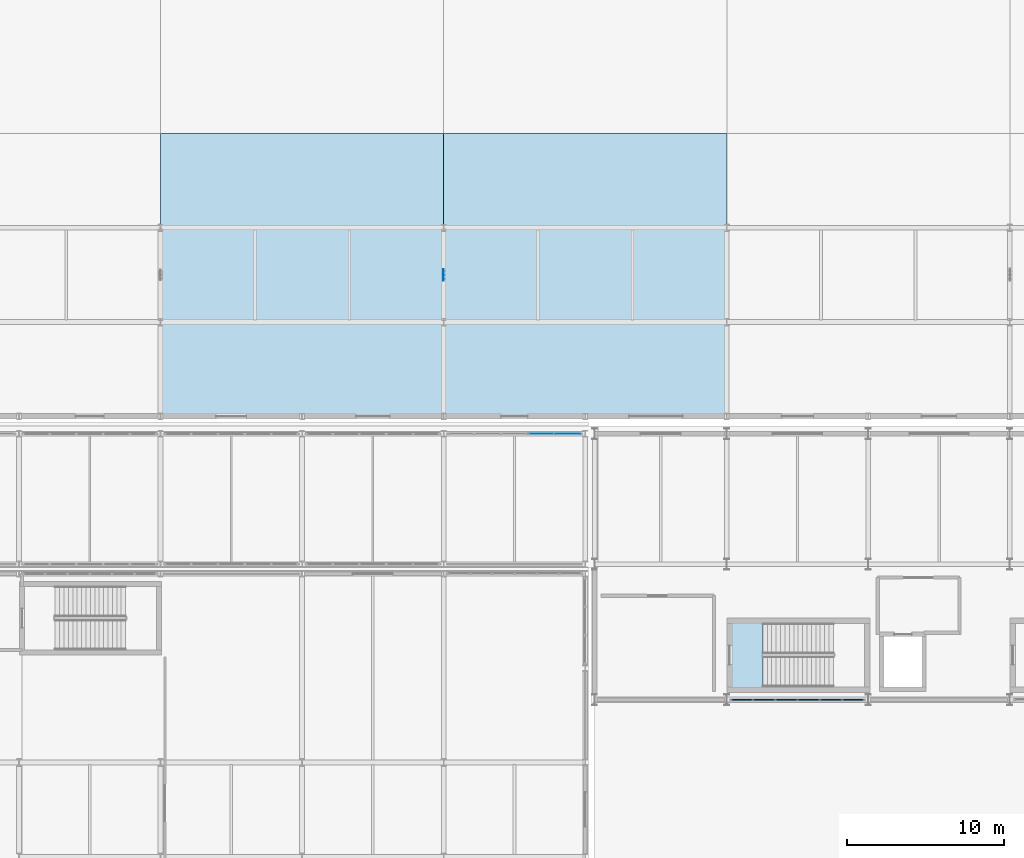
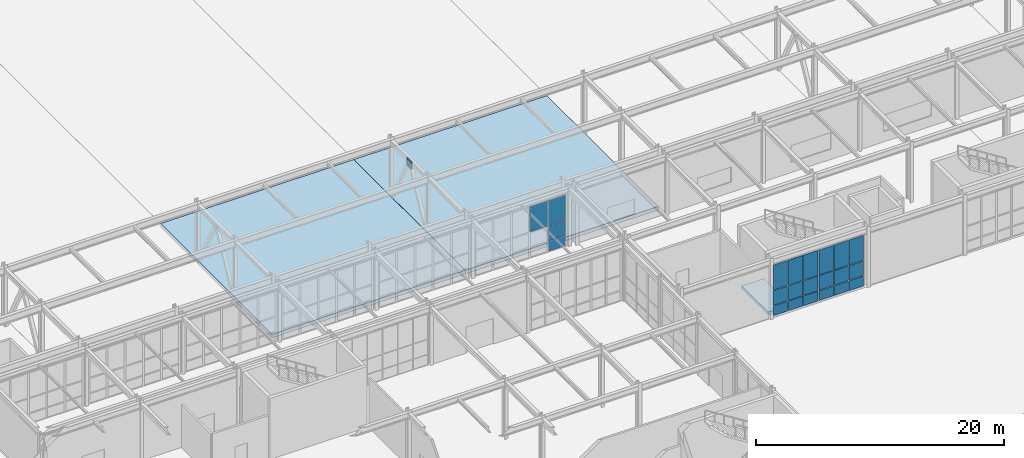
# One storey, part 107 of 146: 23 plates, 3 slabs, 2 elements without a shape of their own.
"""IFC4 building model written with IfcOpenShell, lengths in metres."""

from ifc_helpers import new_model, si_unit, direction, frame, origin, origin_2d, place, context, subcontext, project, spatial, polyline, rectangle, outline, extrude, material, layer, layer_set, type_object, element, aggregate, save


model = new_model("IFC4")

# Units and contexts
model_context = context("Model", 3, precision=1e-05, world=origin(), true_north=direction((0.0, 1.0)))
body_context = subcontext(model_context, "Body", "Model", "MODEL_VIEW")
ifc_project = project(units=[si_unit("LENGTHUNIT", "METRE"), si_unit("AREAUNIT", "SQUARE_METRE"), si_unit("VOLUMEUNIT", "CUBIC_METRE"), si_unit("PLANEANGLEUNIT", "RADIAN"), si_unit("MASSUNIT", "GRAM", prefix="KILO")], contexts=[model_context])

# Site, building, storey
site_placement = place(None, origin())
site = spatial("IfcSite", under=ifc_project, at=site_placement, CompositionType="ELEMENT")
building_placement = place(site_placement, origin())
building = spatial("IfcBuilding", under=site, at=building_placement, Name="Kaldris Quays Convention Centre", CompositionType="ELEMENT")
storey_placement = place(building_placement, origin())
storey = spatial("IfcBuildingStorey", under=building, at=storey_placement, Name="L00", CompositionType="ELEMENT", Elevation=0.0)

# Curtain wall, plates
ifc_material_1 = material(Name="Anodized aluminium AW-6060 and triple glazing", Category="aluminium")
curtain_wall_type_1 = type_object("IfcCurtainWallType", Name="UNITISED CURTAIN WALL CW02", PredefinedType="NOTDEFINED", material=ifc_material_1)
curtain_wall_1_placement = place(storey_placement, origin())
curtain_wall_1 = element("IfcCurtainWall", 1, at=curtain_wall_1_placement, inside=storey, type_object=curtain_wall_type_1, Name="L00 Unitised Curtain Wall CW02 89", PredefinedType="NOTDEFINED")
ifc_material_2 = material(Name="Triple low-E insulated glazing", Category="glass")
plate_type_1 = type_object("IfcPlateType", Name="CURTAIN GLAZING PANEL CWP1", PredefinedType="CURTAIN_PANEL", material=ifc_material_2)
plate_1_placement = place(storey_placement, frame((80.199951171875, 54.89990234375, 2.580078125), z_axis=(0.0, 0.0, 1.0), x_axis=(1.0, 0.0, 0.0)))
plate_1 = element("IfcPlate", 2, at=plate_1_placement, type_object=plate_type_1, Name="CW02 panel 4.3", PredefinedType="CURTAIN_PANEL", context=body_context, shape_type="SweptSolid", body=[
    extrude(rectangle(XDim=1.639892578125, YDim=0.029052734375, at=origin_2d()), origin(), (0.0, 0.0, 1.0), 2.4599609375),
])
plate_2_placement = place(storey_placement, frame((81.885009765625, 54.89990234375, 0.06005859375), z_axis=(0.0, 0.0, 1.0), x_axis=(1.0, 0.0, 0.0)))
plate_2 = element("IfcPlate", 3, at=plate_2_placement, type_object=plate_type_1, Name="CW02 panel 5.1", PredefinedType="CURTAIN_PANEL", context=body_context, shape_type="SweptSolid", body=[
    extrude(rectangle(XDim=1.610107421875, YDim=0.029052734375, at=origin_2d()), origin(), (0.0, 0.0, 1.0), 0.9599609375),
])
plate_3_placement = place(storey_placement, frame((81.885009765625, 54.89990234375, 1.080078125), z_axis=(0.0, 0.0, 1.0), x_axis=(1.0, 0.0, 0.0)))
plate_3 = element("IfcPlate", 4, at=plate_3_placement, type_object=plate_type_1, Name="CW02 panel 5.2", PredefinedType="CURTAIN_PANEL", context=body_context, shape_type="SweptSolid", body=[
    extrude(rectangle(XDim=1.610107421875, YDim=0.029052734375, at=origin_2d()), origin(), (0.0, 0.0, 1.0), 1.43994140625),
])
plate_4_placement = place(storey_placement, frame((81.885009765625, 54.89990234375, 2.580078125), z_axis=(0.0, 0.0, 1.0), x_axis=(1.0, 0.0, 0.0)))
plate_4 = element("IfcPlate", 5, at=plate_4_placement, type_object=plate_type_1, Name="CW02 panel 5.3", PredefinedType="CURTAIN_PANEL", context=body_context, shape_type="SweptSolid", body=[
    extrude(rectangle(XDim=1.610107421875, YDim=0.029052734375, at=origin_2d()), origin(), (0.0, 0.0, 1.0), 2.4599609375),
])
aggregate(curtain_wall_1, [plate_1, plate_2, plate_3, plate_4])

curtain_wall_type_2 = type_object("IfcCurtainWallType", Name="UNITISED CURTAIN WALL CW04", PredefinedType="NOTDEFINED", material=ifc_material_1)
curtain_wall_2_placement = place(storey_placement, origin())
curtain_wall_2 = element("IfcCurtainWall", 6, at=curtain_wall_2_placement, inside=storey, type_object=curtain_wall_type_2, Name="L00 Unitised Curtain Wall CW04 104", PredefinedType="NOTDEFINED")
plate_type_2 = type_object("IfcPlateType", Name="CURTAIN GLAZING PANEL CWP8", PredefinedType="CURTAIN_PANEL", material=ifc_material_2)
plate_5_placement = place(storey_placement, frame((92.973388671875, 38.0, 0.06005859375), z_axis=(0.0, 0.0, 1.0), x_axis=(1.0, 0.0, 0.0)))
plate_5 = element("IfcPlate", 7, at=plate_5_placement, type_object=plate_type_2, Name="CW04 panel 1.1", PredefinedType="CURTAIN_PANEL", context=body_context, shape_type="SweptSolid", body=[
    extrude(rectangle(XDim=1.32666015625, YDim=0.06396484375, at=origin_2d()), origin(), (0.0, 0.0, 1.0), 0.9599609375),
])
plate_6_placement = place(storey_placement, frame((92.973388671875, 38.0, 1.080078125), z_axis=(0.0, 0.0, 1.0), x_axis=(1.0, 0.0, 0.0)))
plate_6 = element("IfcPlate", 8, at=plate_6_placement, type_object=plate_type_2, Name="CW04 panel 1.2", PredefinedType="CURTAIN_PANEL", context=body_context, shape_type="SweptSolid", body=[
    extrude(rectangle(XDim=1.32666015625, YDim=0.06396484375, at=origin_2d()), origin(), (0.0, 0.0, 1.0), 1.43896484375),
])
plate_7_placement = place(storey_placement, frame((92.973388671875, 38.0, 2.5791015625), z_axis=(0.0, 0.0, 1.0), x_axis=(1.0, 0.0, 0.0)))
plate_7 = element("IfcPlate", 9, at=plate_7_placement, type_object=plate_type_2, Name="CW04 panel 1.3", PredefinedType="CURTAIN_PANEL", context=body_context, shape_type="SweptSolid", body=[
    extrude(rectangle(XDim=1.32666015625, YDim=0.06396484375, at=origin_2d()), origin(), (0.0, 0.0, 1.0), 2.458984375),
])
plate_8_placement = place(storey_placement, frame((94.375, 38.0, 0.06005859375), z_axis=(0.0, 0.0, 1.0), x_axis=(1.0, 0.0, 0.0)))
plate_8 = element("IfcPlate", 10, at=plate_8_placement, type_object=plate_type_2, Name="CW04 panel 2.1", PredefinedType="CURTAIN_PANEL", context=body_context, shape_type="SweptSolid", body=[
    extrude(rectangle(XDim=1.356689453125, YDim=0.06396484375, at=origin_2d()), origin(), (0.0, 0.0, 1.0), 0.9599609375),
])
plate_9_placement = place(storey_placement, frame((94.375, 38.0, 1.080078125), z_axis=(0.0, 0.0, 1.0), x_axis=(1.0, 0.0, 0.0)))
plate_9 = element("IfcPlate", 11, at=plate_9_placement, type_object=plate_type_2, Name="CW04 panel 2.2", PredefinedType="CURTAIN_PANEL", context=body_context, shape_type="SweptSolid", body=[
    extrude(rectangle(XDim=1.356689453125, YDim=0.06396484375, at=origin_2d()), origin(), (0.0, 0.0, 1.0), 1.43896484375),
])
plate_10_placement = place(storey_placement, frame((94.375, 38.0, 2.5791015625), z_axis=(0.0, 0.0, 1.0), x_axis=(1.0, 0.0, 0.0)))
plate_10 = element("IfcPlate", 12, at=plate_10_placement, type_object=plate_type_2, Name="CW04 panel 2.3", PredefinedType="CURTAIN_PANEL", context=body_context, shape_type="SweptSolid", body=[
    extrude(rectangle(XDim=1.356689453125, YDim=0.06396484375, at=origin_2d()), origin(), (0.0, 0.0, 1.0), 2.458984375),
])
plate_11_placement = place(storey_placement, frame((95.791748046875, 38.0, 0.06005859375), z_axis=(0.0, 0.0, 1.0), x_axis=(1.0, 0.0, 0.0)))
plate_11 = element("IfcPlate", 13, at=plate_11_placement, type_object=plate_type_2, Name="CW04 panel 3.1", PredefinedType="CURTAIN_PANEL", context=body_context, shape_type="SweptSolid", body=[
    extrude(rectangle(XDim=1.356689453125, YDim=0.06396484375, at=origin_2d()), origin(), (0.0, 0.0, 1.0), 0.9599609375),
])
plate_12_placement = place(storey_placement, frame((95.791748046875, 38.0, 1.080078125), z_axis=(0.0, 0.0, 1.0), x_axis=(1.0, 0.0, 0.0)))
plate_12 = element("IfcPlate", 14, at=plate_12_placement, type_object=plate_type_2, Name="CW04 panel 3.2", PredefinedType="CURTAIN_PANEL", context=body_context, shape_type="SweptSolid", body=[
    extrude(rectangle(XDim=1.356689453125, YDim=0.06396484375, at=origin_2d()), origin(), (0.0, 0.0, 1.0), 1.43896484375),
])
plate_13_placement = place(storey_placement, frame((95.791748046875, 38.0, 2.5791015625), z_axis=(0.0, 0.0, 1.0), x_axis=(1.0, 0.0, 0.0)))
plate_13 = element("IfcPlate", 15, at=plate_13_placement, type_object=plate_type_2, Name="CW04 panel 3.3", PredefinedType="CURTAIN_PANEL", context=body_context, shape_type="SweptSolid", body=[
    extrude(rectangle(XDim=1.356689453125, YDim=0.06396484375, at=origin_2d()), origin(), (0.0, 0.0, 1.0), 2.458984375),
])
plate_14_placement = place(storey_placement, frame((97.208251953125, 38.0, 0.06005859375), z_axis=(0.0, 0.0, 1.0), x_axis=(1.0, 0.0, 0.0)))
plate_14 = element("IfcPlate", 16, at=plate_14_placement, type_object=plate_type_2, Name="CW04 panel 4.1", PredefinedType="CURTAIN_PANEL", context=body_context, shape_type="SweptSolid", body=[
    extrude(rectangle(XDim=1.356689453125, YDim=0.06396484375, at=origin_2d()), origin(), (0.0, 0.0, 1.0), 0.9599609375),
])
plate_15_placement = place(storey_placement, frame((97.208251953125, 38.0, 1.080078125), z_axis=(0.0, 0.0, 1.0), x_axis=(1.0, 0.0, 0.0)))
plate_15 = element("IfcPlate", 17, at=plate_15_placement, type_object=plate_type_2, Name="CW04 panel 4.2", PredefinedType="CURTAIN_PANEL", context=body_context, shape_type="SweptSolid", body=[
    extrude(rectangle(XDim=1.356689453125, YDim=0.06396484375, at=origin_2d()), origin(), (0.0, 0.0, 1.0), 1.43896484375),
])
plate_16_placement = place(storey_placement, frame((97.208251953125, 38.0, 2.5791015625), z_axis=(0.0, 0.0, 1.0), x_axis=(1.0, 0.0, 0.0)))
plate_16 = element("IfcPlate", 18, at=plate_16_placement, type_object=plate_type_2, Name="CW04 panel 4.3", PredefinedType="CURTAIN_PANEL", context=body_context, shape_type="SweptSolid", body=[
    extrude(rectangle(XDim=1.356689453125, YDim=0.06396484375, at=origin_2d()), origin(), (0.0, 0.0, 1.0), 2.458984375),
])
plate_17_placement = place(storey_placement, frame((98.625, 38.0, 0.06005859375), z_axis=(0.0, 0.0, 1.0), x_axis=(1.0, 0.0, 0.0)))
plate_17 = element("IfcPlate", 19, at=plate_17_placement, type_object=plate_type_2, Name="CW04 panel 5.1", PredefinedType="CURTAIN_PANEL", context=body_context, shape_type="SweptSolid", body=[
    extrude(rectangle(XDim=1.356689453125, YDim=0.06396484375, at=origin_2d()), origin(), (0.0, 0.0, 1.0), 0.9599609375),
])
plate_18_placement = place(storey_placement, frame((98.625, 38.0, 1.080078125), z_axis=(0.0, 0.0, 1.0), x_axis=(1.0, 0.0, 0.0)))
plate_18 = element("IfcPlate", 20, at=plate_18_placement, type_object=plate_type_2, Name="CW04 panel 5.2", PredefinedType="CURTAIN_PANEL", context=body_context, shape_type="SweptSolid", body=[
    extrude(rectangle(XDim=1.356689453125, YDim=0.06396484375, at=origin_2d()), origin(), (0.0, 0.0, 1.0), 1.43896484375),
])
plate_19_placement = place(storey_placement, frame((98.625, 38.0, 2.5791015625), z_axis=(0.0, 0.0, 1.0), x_axis=(1.0, 0.0, 0.0)))
plate_19 = element("IfcPlate", 21, at=plate_19_placement, type_object=plate_type_2, Name="CW04 panel 5.3", PredefinedType="CURTAIN_PANEL", context=body_context, shape_type="SweptSolid", body=[
    extrude(rectangle(XDim=1.356689453125, YDim=0.06396484375, at=origin_2d()), origin(), (0.0, 0.0, 1.0), 2.458984375),
])
plate_20_placement = place(storey_placement, frame((100.026611328125, 38.0, 0.06005859375), z_axis=(0.0, 0.0, 1.0), x_axis=(1.0, 0.0, 0.0)))
plate_20 = element("IfcPlate", 22, at=plate_20_placement, type_object=plate_type_2, Name="CW04 panel 6.1", PredefinedType="CURTAIN_PANEL", context=body_context, shape_type="SweptSolid", body=[
    extrude(rectangle(XDim=1.32666015625, YDim=0.06396484375, at=origin_2d()), origin(), (0.0, 0.0, 1.0), 0.9599609375),
])
plate_21_placement = place(storey_placement, frame((100.026611328125, 38.0, 1.080078125), z_axis=(0.0, 0.0, 1.0), x_axis=(1.0, 0.0, 0.0)))
plate_21 = element("IfcPlate", 23, at=plate_21_placement, type_object=plate_type_2, Name="CW04 panel 6.2", PredefinedType="CURTAIN_PANEL", context=body_context, shape_type="SweptSolid", body=[
    extrude(rectangle(XDim=1.32666015625, YDim=0.06396484375, at=origin_2d()), origin(), (0.0, 0.0, 1.0), 1.43896484375),
])
plate_22_placement = place(storey_placement, frame((100.026611328125, 38.0, 2.5791015625), z_axis=(0.0, 0.0, 1.0), x_axis=(1.0, 0.0, 0.0)))
plate_22 = element("IfcPlate", 24, at=plate_22_placement, type_object=plate_type_2, Name="CW04 panel 6.3", PredefinedType="CURTAIN_PANEL", context=body_context, shape_type="SweptSolid", body=[
    extrude(rectangle(XDim=1.32666015625, YDim=0.06396484375, at=origin_2d()), origin(), (0.0, 0.0, 1.0), 2.458984375),
])
aggregate(curtain_wall_2, [plate_5, plate_6, plate_7, plate_8, plate_9, plate_10, plate_11, plate_12, plate_13, plate_14, plate_15, plate_16, plate_17, plate_18, plate_19, plate_20, plate_21, plate_22])

# Plate
ifc_material_3 = material(Name="Steel S355J2", Category="steel")
plate_type_3 = type_object("IfcPlateType", Name="GUSSET PLATE GP19", PredefinedType="USERDEFINED", material=ifc_material_3)
plate_23_placement = place(storey_placement, frame((74.0, 65.0, 4.712890625), z_axis=(0.0, 0.0, 1.0), x_axis=(1.0, 0.0, 0.0)))
element("IfcPlate", 25, at=plate_23_placement, inside=storey, type_object=plate_type_3, Name="CBF Apex Gusset Plate GP19 3", ObjectType="GUSSET PLATE", PredefinedType="USERDEFINED", context=body_context, shape_type="SweptSolid", body=[
    extrude(rectangle(XDim=0.02197265625, YDim=0.719970703125, at=origin_2d()), origin(), (0.0, 0.0, 1.0), 0.7900390625),
])

# Slabs
ifc_material_4 = material(Name="Concrete C35/45", Category="concrete")
ifc_layer_1 = layer(ifc_material_4, 0.364990234375)
ifc_layer_set_1 = layer_set([ifc_layer_1], Name="Concrete C35/45")
slab_type_1 = type_object("IfcSlabType", Name="STRUCTURAL SLAB FS01", PredefinedType="FLOOR", material=ifc_layer_set_1)
slab_1_placement = place(storey_placement, frame((0.0, 0.0, -0.364990234375)))
element("IfcSlab", 26, at=slab_1_placement, inside=storey, type_object=slab_type_1, Name="L00 V1 Heavy Slab South 3 SLAB-L00-V1S-3", PredefinedType="FLOOR", context=body_context, shape_type="SweptSolid", body=[
    extrude(outline(polyline([(74.0, 74.0), (74.0, 56.0), (56.001953125, 56.0), (56.001953125, 74.0), (74.0, 74.0)])), origin(), (0.0, 0.0, 1.0), 0.364990234375),
])
slab_2_placement = place(storey_placement, frame((0.0, 0.0, -0.364990234375)))
element("IfcSlab", 27, at=slab_2_placement, inside=storey, type_object=slab_type_1, Name="L00 V1 Heavy Slab South 4 SLAB-L00-V1S-4", PredefinedType="FLOOR", context=body_context, shape_type="SweptSolid", body=[
    extrude(outline(polyline([(92.0, 74.0), (92.0, 56.0), (74.001953125, 56.0), (74.001953125, 74.0), (92.0, 74.0)])), origin(), (0.0, 0.0, 1.0), 0.364990234375),
])
ifc_layer_2 = layer(ifc_material_4, 0.27490234375)
ifc_layer_set_2 = layer_set([ifc_layer_2], Name="Concrete C35/45")
slab_type_2 = type_object("IfcSlabType", Name="STRUCTURAL SLAB FS05", PredefinedType="FLOOR", material=ifc_layer_set_2)
slab_3_placement = place(storey_placement, frame((0.0, 0.0, -0.27490234375)))
element("IfcSlab", 28, at=slab_3_placement, inside=storey, type_object=slab_type_2, Name="L00 ST11 Core Floor Landing Slab", PredefinedType="FLOOR", context=body_context, shape_type="SweptSolid", body=[
    extrude(outline(polyline([(92.22998046875, 38.679931640625), (94.300048828125, 38.679931640625), (94.300048828125, 42.969970703125), (92.22998046875, 42.969970703125), (92.22998046875, 38.679931640625)])), origin(), (0.0, 0.0, 1.0), 0.27490234375),
])

save(model, "model.ifc")
